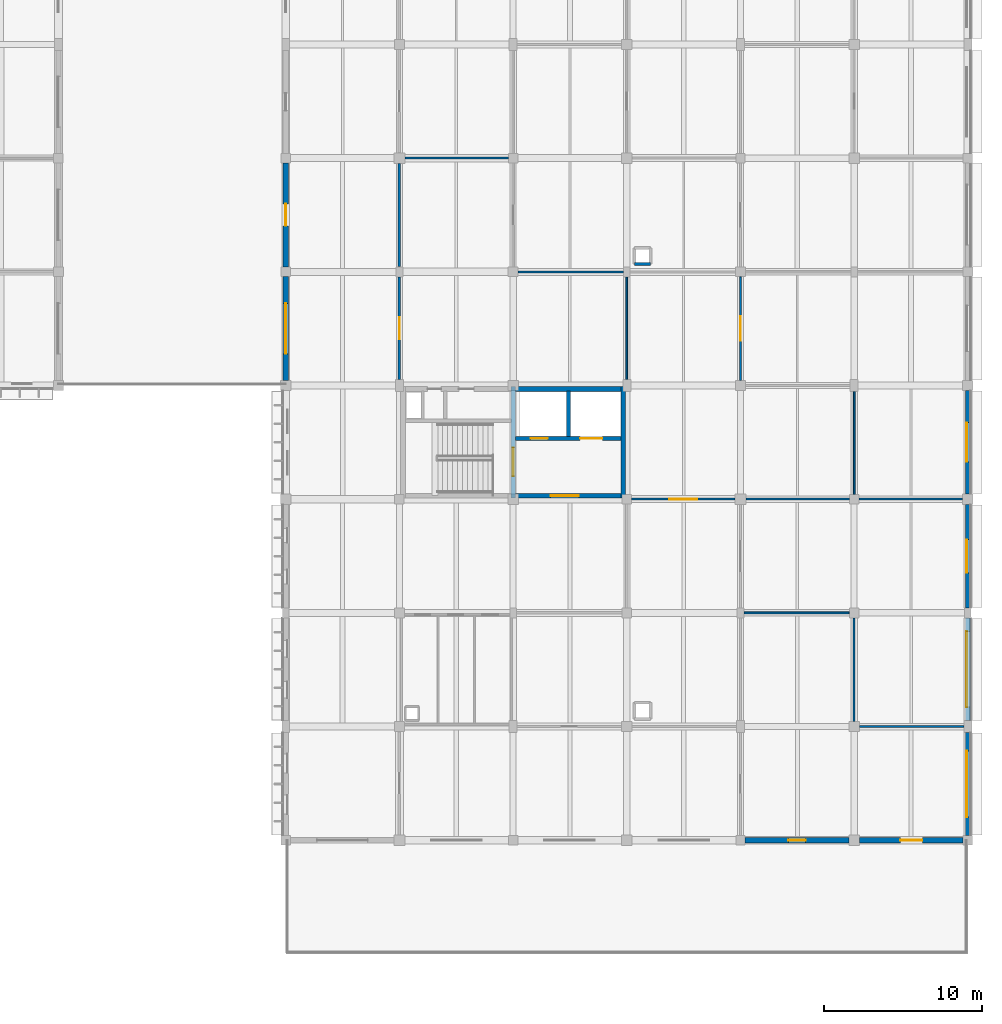
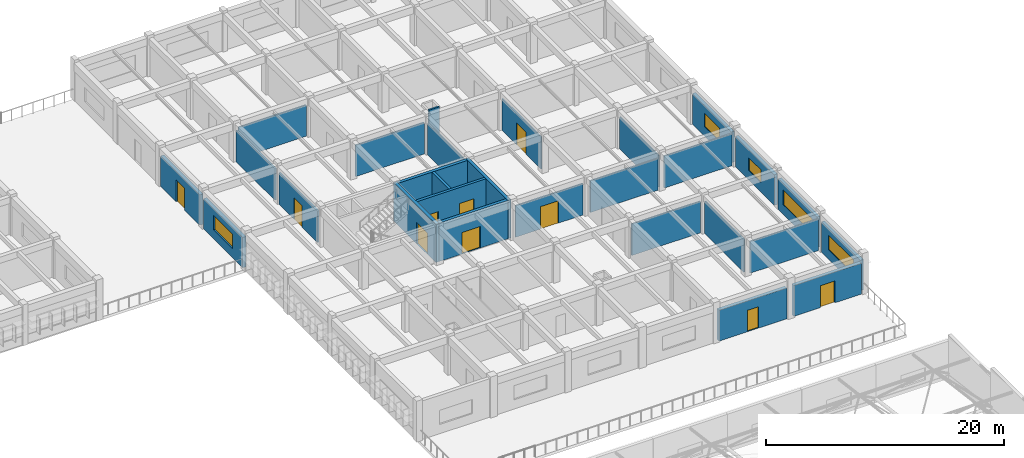
# One storey, part 93 of 103: 28 walls, 10 doors, 5 windows, 15 openings.
"""IFC4 building model written with IfcOpenShell, lengths in metres."""

from ifc_helpers import new_model, si_unit, direction, frame, frame_2d, origin, place, context, subcontext, project, spatial, rectangle, extrude, material, layer, layer_set, type_object, element, fill, save


model = new_model("IFC4")

# Units and contexts
model_context = context("Model", 3, precision=1e-05, world=origin(), true_north=direction((0.0, 1.0)))
body_context = subcontext(model_context, "Body", "Model", "MODEL_VIEW")
ifc_project = project(units=[si_unit("LENGTHUNIT", "METRE"), si_unit("AREAUNIT", "SQUARE_METRE"), si_unit("VOLUMEUNIT", "CUBIC_METRE"), si_unit("PLANEANGLEUNIT", "RADIAN"), si_unit("MASSUNIT", "GRAM", prefix="KILO")], contexts=[model_context])

# Site, building, storey
site_placement = place(None, origin())
site = spatial("IfcSite", under=ifc_project, at=site_placement, CompositionType="ELEMENT")
building_placement = place(site_placement, origin())
building = spatial("IfcBuilding", under=site, at=building_placement, Name="Thalmaran Polytechnic", CompositionType="ELEMENT")
storey_placement = place(building_placement, frame((0.0, 0.0, 14.39990234375)))
storey = spatial("IfcBuildingStorey", under=building, at=storey_placement, Name="L03", CompositionType="ELEMENT", Elevation=14.39990234375)

# Wall, opening, door
ifc_material_1 = material(Name="Precast concrete C40/50", Category="concrete")
ifc_layer_1 = layer(ifc_material_1, 0.330078125, Name="Precast concrete C40/50")
ifc_layer_set_1 = layer_set([ifc_layer_1], Name="Precast concrete C40/50")
wall_type_1 = type_object("IfcWallType", Name="WL-EW02", PredefinedType="STANDARD", material=ifc_layer_set_1)
wall_1_placement = place(storey_placement, frame((129.60009765625, 101.110107421875, 0.0), z_axis=(0.0, 0.0, 1.0), x_axis=(0.0, 1.0, 0.0)))
wall_1 = element("IfcWall", 1, at=wall_1_placement, inside=storey, type_object=wall_type_1, Name="Terrace Access Wall L03-001", PredefinedType="STANDARD", context=body_context, shape_type="SweptSolid", body=[
    extrude(rectangle(XDim=6.58984375, YDim=0.330078125, at=frame_2d((3.294921875, 0.0))), origin(), (0.0, 0.0, 1.0), 3.110107421875),
])
opening_1_placement = place(wall_1_placement, frame((2.594970703125, 0.0, 0.0)))
opening_1 = element("IfcOpeningElement", 2, at=opening_1_placement, cuts=wall_1, Name="Opening TD-003", PredefinedType="OPENING", context=body_context, shape_type="SweptSolid", body=[
    extrude(rectangle(XDim=1.39990234375, YDim=2.25, at=frame_2d((0.699951171875, 1.125))), frame((0.0, 0.175048828125, 0.0), z_axis=(0.0, -1.0, 0.0), x_axis=(1.0, 0.0, 0.0)), (0.0, 0.0, 1.0), 0.35009765625),
])
ifc_material_2 = material(Name="Anodised aluminium and safety glass", Category="aluminium")
door_type_1 = type_object("IfcDoorType", Name="DR-TD01", OperationType="NOTDEFINED", PredefinedType="DOOR", material=ifc_material_2)
door_1_placement = place(opening_1_placement, origin())
door_1 = element("IfcDoor", 3, at=door_1_placement, inside=storey, type_object=door_type_1, Name="Terrace Access Door TD-003", OperationType="SINGLE_SWING_LEFT", OverallHeight=2.25, OverallWidth=1.39990234375, PredefinedType="DOOR", context=body_context, shape_type="SweptSolid", body=[
    extrude(rectangle(XDim=1.39990234375, YDim=2.25, at=frame_2d((0.699951171875, 1.125))), frame((0.0, 0.02490234375, 0.0), z_axis=(0.0, -1.0, 0.0), x_axis=(1.0, 0.0, 0.0)), (0.0, 0.0, 1.0), 0.050048828125),
])
fill(opening_1, door_1)

wall_2_placement = place(storey_placement, frame((172.5, 64.800048828125, 0.0), z_axis=(0.0, 0.0, 1.0), x_axis=(-1.0, 0.0, 0.0)))
wall_2 = element("IfcWall", 4, at=wall_2_placement, inside=storey, type_object=wall_type_1, Name="Terrace Access Wall L03-018", PredefinedType="STANDARD", context=body_context, shape_type="SweptSolid", body=[
    extrude(rectangle(XDim=6.56005859375, YDim=0.330078125, at=frame_2d((3.280029296875, 0.0))), origin(), (0.0, 0.0, 1.0), 3.16015625),
])
opening_2_placement = place(wall_2_placement, frame((2.580078125, 0.0, 0.0)))
opening_2 = element("IfcOpeningElement", 5, at=opening_2_placement, cuts=wall_2, Name="Opening TD-005", PredefinedType="OPENING", context=body_context, shape_type="SweptSolid", body=[
    extrude(rectangle(XDim=1.39990234375, YDim=2.25, at=frame_2d((0.699951171875, 1.125))), frame((0.0, 0.175048828125, 0.0), z_axis=(0.0, -1.0, 0.0), x_axis=(1.0, 0.0, 0.0)), (0.0, 0.0, 1.0), 0.35009765625),
])
door_2_placement = place(opening_2_placement, origin())
door_2 = element("IfcDoor", 6, at=door_2_placement, inside=storey, type_object=door_type_1, Name="Terrace Access Door TD-005", OperationType="SINGLE_SWING_LEFT", OverallHeight=2.25, OverallWidth=1.39990234375, PredefinedType="DOOR", context=body_context, shape_type="SweptSolid", body=[
    extrude(rectangle(XDim=1.39990234375, YDim=2.25, at=frame_2d((0.699951171875, 1.125))), frame((0.0, 0.02490234375, 0.0), z_axis=(0.0, -1.0, 0.0), x_axis=(1.0, 0.0, 0.0)), (0.0, 0.0, 1.0), 0.050048828125),
])
fill(opening_2, door_2)

wall_3_placement = place(storey_placement, frame((165.260009765625, 64.800048828125, 0.0), z_axis=(0.0, 0.0, 1.0), x_axis=(-1.0, 0.0, 0.0)))
wall_3 = element("IfcWall", 7, at=wall_3_placement, inside=storey, type_object=wall_type_1, Name="Terrace Access Wall L03-019", PredefinedType="STANDARD", context=body_context, shape_type="SweptSolid", body=[
    extrude(rectangle(XDim=6.56005859375, YDim=0.330078125, at=frame_2d((3.280029296875, 0.0))), origin(), (0.0, 0.0, 1.0), 3.16015625),
])
opening_3_placement = place(wall_3_placement, frame((2.72998046875, 0.0, 0.0)))
opening_3 = element("IfcOpeningElement", 8, at=opening_3_placement, cuts=wall_3, Name="Opening TD-006", PredefinedType="OPENING", context=body_context, shape_type="SweptSolid", body=[
    extrude(rectangle(XDim=1.10009765625, YDim=2.199951171875, at=frame_2d((0.550048828125, 1.10009765625))), frame((0.0, 0.175048828125, 0.0), z_axis=(0.0, -1.0, 0.0), x_axis=(1.0, 0.0, 0.0)), (0.0, 0.0, 1.0), 0.35009765625),
])
door_type_2 = type_object("IfcDoorType", Name="DR-TD02", OperationType="NOTDEFINED", PredefinedType="DOOR", material=ifc_material_2)
door_3_placement = place(opening_3_placement, origin())
door_3 = element("IfcDoor", 9, at=door_3_placement, inside=storey, type_object=door_type_2, Name="Terrace Access Door TD-006", OperationType="SINGLE_SWING_RIGHT", OverallHeight=2.199951171875, OverallWidth=1.10009765625, PredefinedType="DOOR", context=body_context, shape_type="SweptSolid", body=[
    extrude(rectangle(XDim=1.10009765625, YDim=2.199951171875, at=frame_2d((0.550048828125, 1.10009765625))), frame((0.0, 0.02490234375, 0.0), z_axis=(0.0, -1.0, 0.0), x_axis=(1.0, 0.0, 0.0)), (0.0, 0.0, 1.0), 0.050048828125),
])
fill(opening_3, door_3)

# Wall, opening, window
wall_4_placement = place(storey_placement, frame((129.60009765625, 93.925048828125, 0.0), z_axis=(0.0, 0.0, 1.0), x_axis=(0.0, 1.0, 0.0)))
wall_4 = element("IfcWall", 10, at=wall_4_placement, inside=storey, type_object=wall_type_1, Name="Terrace Access Wall L03-028", PredefinedType="STANDARD", context=body_context, shape_type="SweptSolid", body=[
    extrude(rectangle(XDim=6.56494140625, YDim=0.330078125, at=frame_2d((3.282470703125, 0.0))), origin(), (0.0, 0.0, 1.0), 3.110107421875),
])
opening_4_placement = place(wall_4_placement, frame((1.6826171875, 0.0, 0.949951171875)))
opening_4 = element("IfcOpeningElement", 11, at=opening_4_placement, cuts=wall_4, Name="Opening RW04", PredefinedType="OPENING", context=body_context, shape_type="SweptSolid", body=[
    extrude(rectangle(XDim=3.199951171875, YDim=1.449951171875, at=frame_2d((1.60009765625, 0.72509765625))), frame((0.0, 0.175048828125, 0.0), z_axis=(0.0, -1.0, 0.0), x_axis=(1.0, 0.0, 0.0)), (0.0, 0.0, 1.0), 0.35009765625),
])
ifc_material_3 = material(Name="Thermally broken aluminium and double low-E glass", Category="aluminium")
window_type_1 = type_object("IfcWindowType", Name="WN-RW04", PartitioningType="DOUBLE_PANEL_VERTICAL", PredefinedType="WINDOW", material=ifc_material_3)
window_1_placement = place(opening_4_placement, origin())
window_1 = element("IfcWindow", 12, at=window_1_placement, inside=storey, type_object=window_type_1, Name="Terrace Ribbon Window W-0419", OverallHeight=1.449951171875, OverallWidth=3.199951171875, PartitioningType="SINGLE_PANEL", PredefinedType="WINDOW", context=body_context, shape_type="SweptSolid", body=[
    extrude(rectangle(XDim=3.199951171875, YDim=1.449951171875, at=frame_2d((1.60009765625, 0.72509765625))), frame((0.0, 0.030029296875, 0.0), z_axis=(0.0, -1.0, 0.0), x_axis=(1.0, 0.0, 0.0)), (0.0, 0.0, 1.0), 0.06005859375),
])
fill(opening_4, window_1)

ifc_layer_2 = layer(ifc_material_1, 0.31005859375, Name="Precast concrete C40/50")
ifc_layer_set_2 = layer_set([ifc_layer_2], Name="Precast concrete C40/50")
wall_type_2 = type_object("IfcWallType", Name="WL-EW03", PredefinedType="STANDARD", material=ifc_layer_set_2)
wall_5_placement = place(storey_placement, frame((172.800048828125, 93.27490234375, 0.0), z_axis=(0.0, 0.0, 1.0), x_axis=(0.0, -1.0, 0.0)))
wall_5 = element("IfcWall", 13, at=wall_5_placement, inside=storey, type_object=wall_type_2, Name="Exterior Precast Facade Wall L03-014", PredefinedType="STANDARD", context=body_context, shape_type="SweptSolid", body=[
    extrude(rectangle(XDim=6.534912109375, YDim=0.31005859375, at=frame_2d((3.267578125, 0.0))), origin(), (0.0, 0.0, 1.0), 3.135009765625),
])
opening_5_placement = place(wall_5_placement, frame((2.017578125, 0.0, 0.97998046875)))
opening_5 = element("IfcOpeningElement", 14, at=opening_5_placement, cuts=wall_5, Name="Opening VW19", PredefinedType="OPENING", context=body_context, shape_type="SweptSolid", body=[
    extrude(rectangle(XDim=2.5, YDim=1.35009765625, at=frame_2d((1.25, 0.675048828125))), frame((0.0, 0.1650390625, 0.0), z_axis=(0.0, -1.0, 0.0), x_axis=(1.0, 0.0, 0.0)), (0.0, 0.0, 1.0), 0.330078125),
])
window_type_2 = type_object("IfcWindowType", Name="WN-VZ19", PartitioningType="DOUBLE_PANEL_VERTICAL", PredefinedType="WINDOW", material=ifc_material_3)
window_2_placement = place(opening_5_placement, origin())
window_2 = element("IfcWindow", 15, at=window_2_placement, inside=storey, type_object=window_type_2, Name="Streamline Ribbon Window W-0403", OverallHeight=1.35009765625, OverallWidth=2.5, PartitioningType="SINGLE_PANEL", PredefinedType="WINDOW", context=body_context, shape_type="SweptSolid", body=[
    extrude(rectangle(XDim=2.5, YDim=1.35009765625, at=frame_2d((1.25, 0.675048828125))), frame((0.0, -0.030029296875, 0.0), z_axis=(0.0, -1.0, 0.0), x_axis=(1.0, 0.0, 0.0)), (0.0, 0.0, 1.0), 0.06005859375),
])
fill(opening_5, window_2)

wall_6_placement = place(storey_placement, frame((172.800048828125, 86.06005859375, 0.0), z_axis=(0.0, 0.0, 1.0), x_axis=(0.0, -1.0, 0.0)))
wall_6 = element("IfcWall", 16, at=wall_6_placement, inside=storey, type_object=wall_type_2, Name="Exterior Precast Facade Wall L03-015", PredefinedType="STANDARD", context=body_context, shape_type="SweptSolid", body=[
    extrude(rectangle(XDim=6.5400390625, YDim=0.31005859375, at=frame_2d((3.27001953125, 0.0))), origin(), (0.0, 0.0, 1.0), 3.135009765625),
])
opening_6_placement = place(wall_6_placement, frame((2.219970703125, 0.0, 0.97998046875)))
opening_6 = element("IfcOpeningElement", 17, at=opening_6_placement, cuts=wall_6, Name="Opening VW20", PredefinedType="OPENING", context=body_context, shape_type="SweptSolid", body=[
    extrude(rectangle(XDim=2.10009765625, YDim=1.300048828125, at=frame_2d((1.050048828125, 0.64990234375))), frame((0.0, 0.1650390625, 0.0), z_axis=(0.0, -1.0, 0.0), x_axis=(1.0, 0.0, 0.0)), (0.0, 0.0, 1.0), 0.330078125),
])
window_type_3 = type_object("IfcWindowType", Name="WN-VZ20", PartitioningType="SINGLE_PANEL", PredefinedType="WINDOW", material=ifc_material_3)
window_3_placement = place(opening_6_placement, origin())
window_3 = element("IfcWindow", 18, at=window_3_placement, inside=storey, type_object=window_type_3, Name="Streamline Ribbon Window W-0404", OverallHeight=1.300048828125, OverallWidth=2.10009765625, PartitioningType="SINGLE_PANEL", PredefinedType="WINDOW", context=body_context, shape_type="SweptSolid", body=[
    extrude(rectangle(XDim=2.10009765625, YDim=1.300048828125, at=frame_2d((1.050048828125, 0.64990234375))), frame((0.0, -0.030029296875, 0.0), z_axis=(0.0, -1.0, 0.0), x_axis=(1.0, 0.0, 0.0)), (0.0, 0.0, 1.0), 0.06005859375),
])
fill(opening_6, window_3)

wall_7_placement = place(storey_placement, frame((172.800048828125, 78.8798828125, 0.0), z_axis=(0.0, 0.0, 1.0), x_axis=(0.0, -1.0, 0.0)))
wall_7 = element("IfcWall", 19, at=wall_7_placement, inside=storey, type_object=wall_type_2, Name="Exterior Precast Facade Wall L03-016", PredefinedType="STANDARD", context=body_context, shape_type="SweptSolid", body=[
    extrude(rectangle(XDim=6.5048828125, YDim=0.31005859375, at=frame_2d((3.25244140625, 0.0))), origin(), (0.0, 0.0, 1.0), 3.135009765625),
])
opening_7_placement = place(wall_7_placement, frame((0.8525390625, 0.0, 0.97998046875)))
opening_7 = element("IfcOpeningElement", 20, at=opening_7_placement, cuts=wall_7, Name="Opening RW01", PredefinedType="OPENING", context=body_context, shape_type="SweptSolid", body=[
    extrude(rectangle(XDim=4.800048828125, YDim=1.5, at=frame_2d((2.39990234375, 0.75))), frame((0.0, 0.1650390625, 0.0), z_axis=(0.0, -1.0, 0.0), x_axis=(1.0, 0.0, 0.0)), (0.0, 0.0, 1.0), 0.330078125),
])
window_type_4 = type_object("IfcWindowType", Name="WN-RW01", PartitioningType="TRIPLE_PANEL_HORIZONTAL", PredefinedType="WINDOW", material=ifc_material_3)
window_4_placement = place(opening_7_placement, origin())
window_4 = element("IfcWindow", 21, at=window_4_placement, inside=storey, type_object=window_type_4, Name="Streamline Ribbon Window W-0405", OverallHeight=1.5, OverallWidth=4.800048828125, PartitioningType="SINGLE_PANEL", PredefinedType="WINDOW", context=body_context, shape_type="SweptSolid", body=[
    extrude(rectangle(XDim=4.800048828125, YDim=1.5, at=frame_2d((2.39990234375, 0.75))), frame((0.0, -0.030029296875, 0.0), z_axis=(0.0, -1.0, 0.0), x_axis=(1.0, 0.0, 0.0)), (0.0, 0.0, 1.0), 0.06005859375),
])
fill(opening_7, window_4)

wall_8_placement = place(storey_placement, frame((172.800048828125, 71.625, 0.0), z_axis=(0.0, 0.0, 1.0), x_axis=(0.0, -1.0, 0.0)))
wall_8 = element("IfcWall", 22, at=wall_8_placement, inside=storey, type_object=wall_type_2, Name="Exterior Precast Facade Wall L03-017", PredefinedType="STANDARD", context=body_context, shape_type="SweptSolid", body=[
    extrude(rectangle(XDim=6.52490234375, YDim=0.31005859375, at=frame_2d((3.262451171875, 0.0))), origin(), (0.0, 0.0, 1.0), 3.110107421875),
])
opening_8_placement = place(wall_8_placement, frame((1.16259765625, 0.0, 0.97998046875)))
opening_8 = element("IfcOpeningElement", 23, at=opening_8_placement, cuts=wall_8, Name="Opening RW02", PredefinedType="OPENING", context=body_context, shape_type="SweptSolid", body=[
    extrude(rectangle(XDim=4.199951171875, YDim=1.5, at=frame_2d((2.10009765625, 0.75))), frame((0.0, 0.1650390625, 0.0), z_axis=(0.0, -1.0, 0.0), x_axis=(1.0, 0.0, 0.0)), (0.0, 0.0, 1.0), 0.330078125),
])
window_type_5 = type_object("IfcWindowType", Name="WN-RW02", PartitioningType="TRIPLE_PANEL_HORIZONTAL", PredefinedType="WINDOW", material=ifc_material_3)
window_5_placement = place(opening_8_placement, origin())
window_5 = element("IfcWindow", 24, at=window_5_placement, inside=storey, type_object=window_type_5, Name="Streamline Ribbon Window W-0406", OverallHeight=1.5, OverallWidth=4.199951171875, PartitioningType="SINGLE_PANEL", PredefinedType="WINDOW", context=body_context, shape_type="SweptSolid", body=[
    extrude(rectangle(XDim=4.199951171875, YDim=1.5, at=frame_2d((2.10009765625, 0.75))), frame((0.0, -0.030029296875, 0.0), z_axis=(0.0, -1.0, 0.0), x_axis=(1.0, 0.0, 0.0)), (0.0, 0.0, 1.0), 0.06005859375),
])
fill(opening_8, window_5)

# Walls
ifc_material_4 = material(Name="Autoclaved aerated masonry", Category="masonry")
ifc_layer_3 = layer(ifc_material_4, 0.25, Name="Autoclaved aerated masonry")
ifc_layer_set_3 = layer_set([ifc_layer_3], Name="Autoclaved aerated masonry")
wall_type_3 = type_object("IfcWallType", Name="WL-IW01", PredefinedType="PARTITIONING", material=ifc_layer_set_3)
wall_9_placement = place(storey_placement, frame((147.5, 90.3798828125, 0.0), z_axis=(0.0, 0.0, 1.0), x_axis=(0.0, 1.0, 0.0)))
element("IfcWall", 25, at=wall_9_placement, inside=storey, type_object=wall_type_3, Name="Core C5 Shaft Dividing Wall L03", PredefinedType="PARTITIONING", context=body_context, shape_type="SweptSolid", body=[
    extrude(rectangle(XDim=2.8701171875, YDim=0.25, at=frame_2d((1.43505859375, 0.0))), origin(), (0.0, 0.0, 1.0), 3.940185546875),
])
ifc_layer_4 = layer(ifc_material_4, 0.179931640625, Name="Autoclaved aerated masonry")
ifc_layer_set_4 = layer_set([ifc_layer_4], Name="Autoclaved aerated masonry")
wall_type_4 = type_object("IfcWallType", Name="WL-IW04", PredefinedType="PARTITIONING", material=ifc_layer_set_4)
wall_10_placement = place(storey_placement, frame((151.68994140625, 101.2900390625, 0.0), z_axis=(0.0, 0.0, 1.0), x_axis=(1.0, 0.0, 0.0)))
element("IfcWall", 26, at=wall_10_placement, inside=storey, type_object=wall_type_4, Name="Fume Exhaust Riser Shaft Wall L03 (21,14)-S", PredefinedType="PARTITIONING", context=body_context, shape_type="SweptSolid", body=[
    extrude(rectangle(XDim=1.02001953125, YDim=0.179931640625, at=frame_2d((0.510009765625, 0.0))), origin(), (0.0, 0.0, 1.0), 3.940185546875),
])

# Wall, opening, door
ifc_material_5 = material(Name="Gypsum acoustic partition")
ifc_layer_5 = layer(ifc_material_5, 0.159912109375, Name="Gypsum acoustic partition")
ifc_layer_set_5 = layer_set([ifc_layer_5], Name="Gypsum acoustic partition")
wall_type_5 = type_object("IfcWallType", Name="WL-IW05", PredefinedType="PARTITIONING", material=ifc_layer_set_5)
wall_11_placement = place(storey_placement, frame((136.800048828125, 93.97998046875, 0.0), z_axis=(0.0, 0.0, 1.0), x_axis=(0.0, 1.0, 0.0)))
wall_11 = element("IfcWall", 27, at=wall_11_placement, inside=storey, type_object=wall_type_5, Name="Interior Partition IW05 L03-067", PredefinedType="PARTITIONING", context=body_context, shape_type="SweptSolid", body=[
    extrude(rectangle(XDim=6.4951171875, YDim=0.159912109375, at=frame_2d((3.24755859375, 0.0))), origin(), (0.0, 0.0, 1.0), 3.22998046875),
])
opening_9_placement = place(wall_11_placement, frame((2.5576171875, 0.0, 0.0)))
opening_9 = element("IfcOpeningElement", 28, at=opening_9_placement, cuts=wall_11, Name="Opening D-L03-028-5-07-1", PredefinedType="OPENING", context=body_context, shape_type="SweptSolid", body=[
    extrude(rectangle(XDim=1.3798828125, YDim=2.219970703125, at=frame_2d((0.68994140625, 1.10986328125))), frame((0.0, 0.08984375, 0.0), z_axis=(0.0, -1.0, 0.0), x_axis=(1.0, 0.0, 0.0)), (0.0, 0.0, 1.0), 0.179931640625),
])
ifc_material_6 = material(Name="Acoustic hardwood and vision glass", Category="wood")
door_type_3 = type_object("IfcDoorType", Name="DR-ZD04", OperationType="NOTDEFINED", PredefinedType="DOOR", material=ifc_material_6)
door_4_placement = place(opening_9_placement, origin())
door_4 = element("IfcDoor", 29, at=door_4_placement, inside=storey, type_object=door_type_3, Name="Seminar Room L03-07 Door 1", OperationType="SINGLE_SWING_RIGHT", OverallHeight=2.219970703125, OverallWidth=1.3798828125, PredefinedType="DOOR", context=body_context, shape_type="SweptSolid", body=[
    extrude(rectangle(XDim=1.3798828125, YDim=2.219970703125, at=frame_2d((0.68994140625, 1.10986328125))), frame((0.0, 0.02490234375, 0.0), z_axis=(0.0, -1.0, 0.0), x_axis=(1.0, 0.0, 0.0)), (0.0, 0.0, 1.0), 0.050048828125),
])
fill(opening_9, door_4)

# Walls
wall_12_placement = place(storey_placement, frame((136.800048828125, 101.125, 0.0), z_axis=(0.0, 0.0, 1.0), x_axis=(0.0, 1.0, 0.0)))
element("IfcWall", 30, at=wall_12_placement, inside=storey, type_object=wall_type_5, Name="Interior Partition IW05 L03-068", PredefinedType="PARTITIONING", context=body_context, shape_type="SweptSolid", body=[
    extrude(rectangle(XDim=6.530029296875, YDim=0.159912109375, at=frame_2d((3.26513671875, 0.0))), origin(), (0.0, 0.0, 1.0), 3.22509765625),
])
ifc_layer_6 = layer(ifc_material_5, 0.1298828125, Name="Gypsum acoustic partition")
ifc_layer_set_6 = layer_set([ifc_layer_6], Name="Gypsum acoustic partition")
wall_type_6 = type_object("IfcWallType", Name="WL-IW07", PredefinedType="PARTITIONING", material=ifc_layer_set_6)
wall_13_placement = place(storey_placement, frame((137.14501953125, 108.0, 0.0), z_axis=(0.0, 0.0, 1.0), x_axis=(1.0, 0.0, 0.0)))
element("IfcWall", 31, at=wall_13_placement, inside=storey, type_object=wall_type_6, Name="Interior Partition IW07 L03-072", PredefinedType="PARTITIONING", context=body_context, shape_type="SweptSolid", body=[
    extrude(rectangle(XDim=6.550048828125, YDim=0.1298828125, at=frame_2d((3.27490234375, 0.0))), origin(), (0.0, 0.0, 1.0), 3.2001953125),
])
wall_14_placement = place(storey_placement, frame((144.31494140625, 100.800048828125, 0.0), z_axis=(0.0, 0.0, 1.0), x_axis=(1.0, 0.0, 0.0)))
element("IfcWall", 32, at=wall_14_placement, inside=storey, type_object=wall_type_6, Name="Interior Partition IW07 L03-078", PredefinedType="PARTITIONING", context=body_context, shape_type="SweptSolid", body=[
    extrude(rectangle(XDim=6.670166015625, YDim=0.1298828125, at=frame_2d((3.3349609375, 0.0))), origin(), (0.0, 0.0, 1.0), 3.215087890625),
])

# Wall, opening, door
wall_15_placement = place(storey_placement, frame((151.5048828125, 86.39990234375, 0.0), z_axis=(0.0, 0.0, 1.0), x_axis=(1.0, 0.0, 0.0)))
wall_15 = element("IfcWall", 33, at=wall_15_placement, inside=storey, type_object=wall_type_6, Name="Interior Partition IW07 L03-086", PredefinedType="PARTITIONING", context=body_context, shape_type="SweptSolid", body=[
    extrude(rectangle(XDim=6.550048828125, YDim=0.1298828125, at=frame_2d((3.27490234375, 0.0))), origin(), (0.0, 0.0, 1.0), 3.22021484375),
])
opening_10_placement = place(wall_15_placement, frame((2.39501953125, 0.0, 0.0)))
opening_10 = element("IfcOpeningElement", 34, at=opening_10_placement, cuts=wall_15, Name="Opening D-L03-026-5-05-1", PredefinedType="OPENING", context=body_context, shape_type="SweptSolid", body=[
    extrude(rectangle(XDim=1.760009765625, YDim=2.300048828125, at=frame_2d((0.8798828125, 1.14990234375))), frame((0.0, 0.074951171875, 0.0), z_axis=(0.0, -1.0, 0.0), x_axis=(1.0, 0.0, 0.0)), (0.0, 0.0, 1.0), 0.14990234375),
])
door_type_4 = type_object("IfcDoorType", Name="DR-ZD02", OperationType="NOTDEFINED", PredefinedType="DOOR", material=ifc_material_6)
door_5_placement = place(opening_10_placement, origin())
door_5 = element("IfcDoor", 35, at=door_5_placement, inside=storey, type_object=door_type_4, Name="Photonics and Electronics Laboratory L03-05 Door 1", OperationType="SINGLE_SWING_RIGHT", OverallHeight=2.300048828125, OverallWidth=1.760009765625, PredefinedType="DOOR", context=body_context, shape_type="SweptSolid", body=[
    extrude(rectangle(XDim=1.760009765625, YDim=2.300048828125, at=frame_2d((0.8798828125, 1.14990234375))), frame((0.0, 0.02490234375, 0.0), z_axis=(0.0, -1.0, 0.0), x_axis=(1.0, 0.0, 0.0)), (0.0, 0.0, 1.0), 0.050048828125),
])
fill(opening_10, door_5)

# Walls
wall_16_placement = place(storey_placement, frame((165.60009765625, 72.330078125, 0.0), z_axis=(0.0, 0.0, 1.0), x_axis=(0.0, 1.0, 0.0)))
element("IfcWall", 36, at=wall_16_placement, inside=storey, type_object=wall_type_6, Name="Interior Partition IW07 L03-092", PredefinedType="PARTITIONING", context=body_context, shape_type="SweptSolid", body=[
    extrude(rectangle(XDim=6.554931640625, YDim=0.1298828125, at=frame_2d((3.27734375, 0.0))), origin(), (0.0, 0.0, 1.0), 3.31005859375),
])
wall_17_placement = place(storey_placement, frame((158.7451171875, 86.39990234375, 0.0), z_axis=(0.0, 0.0, 1.0), x_axis=(1.0, 0.0, 0.0)))
element("IfcWall", 37, at=wall_17_placement, inside=storey, type_object=wall_type_6, Name="Interior Partition IW07 L03-094", PredefinedType="PARTITIONING", context=body_context, shape_type="SweptSolid", body=[
    extrude(rectangle(XDim=6.5498046875, YDim=0.1298828125, at=frame_2d((3.27490234375, 0.0))), origin(), (0.0, 0.0, 1.0), 3.239990234375),
])
wall_18_placement = place(storey_placement, frame((165.905029296875, 86.39990234375, 0.0), z_axis=(0.0, 0.0, 1.0), x_axis=(1.0, 0.0, 0.0)))
element("IfcWall", 38, at=wall_18_placement, inside=storey, type_object=wall_type_6, Name="Interior Partition IW07 L03-102", PredefinedType="PARTITIONING", context=body_context, shape_type="SweptSolid", body=[
    extrude(rectangle(XDim=6.550048828125, YDim=0.1298828125, at=frame_2d((3.27490234375, 0.0))), origin(), (0.0, 0.0, 1.0), 3.280029296875),
])
ifc_layer_7 = layer(ifc_material_5, 0.114990234375, Name="Gypsum acoustic partition")
ifc_layer_set_7 = layer_set([ifc_layer_7], Name="Gypsum acoustic partition")
wall_type_7 = type_object("IfcWallType", Name="WL-IW08", PredefinedType="PARTITIONING", material=ifc_layer_set_7)
wall_19_placement = place(storey_placement, frame((151.199951171875, 93.97998046875, 0.0), z_axis=(0.0, 0.0, 1.0), x_axis=(0.0, 1.0, 0.0)))
element("IfcWall", 39, at=wall_19_placement, inside=storey, type_object=wall_type_7, Name="Interior Partition IW08 L03-077", PredefinedType="PARTITIONING", context=body_context, shape_type="SweptSolid", body=[
    extrude(rectangle(XDim=6.4951171875, YDim=0.114990234375, at=frame_2d((3.24755859375, 0.0))), origin(), (0.0, 0.0, 1.0), 3.255126953125),
])

# Wall, opening, door
wall_20_placement = place(storey_placement, frame((158.39990234375, 93.929931640625, 0.0), z_axis=(0.0, 0.0, 1.0), x_axis=(0.0, 1.0, 0.0)))
wall_20 = element("IfcWall", 40, at=wall_20_placement, inside=storey, type_object=wall_type_7, Name="Interior Partition IW08 L03-087", PredefinedType="PARTITIONING", context=body_context, shape_type="SweptSolid", body=[
    extrude(rectangle(XDim=6.55517578125, YDim=0.114990234375, at=frame_2d((3.277587890625, 0.0))), origin(), (0.0, 0.0, 1.0), 3.255126953125),
])
opening_11_placement = place(wall_20_placement, frame((2.49755859375, 0.0, 0.0)))
opening_11 = element("IfcOpeningElement", 41, at=opening_11_placement, cuts=wall_20, Name="Opening D-L03-027-5-06-1", PredefinedType="OPENING", context=body_context, shape_type="SweptSolid", body=[
    extrude(rectangle(XDim=1.56005859375, YDim=2.25, at=frame_2d((0.780029296875, 1.125))), frame((0.0, 0.0673828125, 0.0), z_axis=(0.0, -1.0, 0.0), x_axis=(1.0, 0.0, 0.0)), (0.0, 0.0, 1.0), 0.135009765625),
])
door_type_5 = type_object("IfcDoorType", Name="DR-ZD03", OperationType="NOTDEFINED", PredefinedType="DOOR", material=ifc_material_6)
door_6_placement = place(opening_11_placement, origin())
door_6 = element("IfcDoor", 42, at=door_6_placement, inside=storey, type_object=door_type_5, Name="Product Design Studio L03-06 Door 1", OperationType="SINGLE_SWING_LEFT", OverallHeight=2.25, OverallWidth=1.56005859375, PredefinedType="DOOR", context=body_context, shape_type="SweptSolid", body=[
    extrude(rectangle(XDim=1.56005859375, YDim=2.25, at=frame_2d((0.780029296875, 1.125))), frame((0.0, 0.02490234375, 0.0), z_axis=(0.0, -1.0, 0.0), x_axis=(1.0, 0.0, 0.0)), (0.0, 0.0, 1.0), 0.050048828125),
])
fill(opening_11, door_6)

# Walls
wall_21_placement = place(storey_placement, frame((158.614990234375, 79.199951171875, 0.0), z_axis=(0.0, 0.0, 1.0), x_axis=(1.0, 0.0, 0.0)))
element("IfcWall", 43, at=wall_21_placement, inside=storey, type_object=wall_type_7, Name="Interior Partition IW08 L03-093", PredefinedType="PARTITIONING", context=body_context, shape_type="SweptSolid", body=[
    extrude(rectangle(XDim=6.669921875, YDim=0.114990234375, at=frame_2d((3.3349609375, 0.0))), origin(), (0.0, 0.0, 1.0), 3.239990234375),
])
wall_22_placement = place(storey_placement, frame((165.60009765625, 86.705078125, 0.0), z_axis=(0.0, 0.0, 1.0), x_axis=(0.0, 1.0, 0.0)))
element("IfcWall", 44, at=wall_22_placement, inside=storey, type_object=wall_type_7, Name="Interior Partition IW08 L03-095", PredefinedType="PARTITIONING", context=body_context, shape_type="SweptSolid", body=[
    extrude(rectangle(XDim=6.514892578125, YDim=0.114990234375, at=frame_2d((3.25732421875, 0.0))), origin(), (0.0, 0.0, 1.0), 3.255126953125),
])
wall_23_placement = place(storey_placement, frame((165.929931640625, 72.0, 0.0), z_axis=(0.0, 0.0, 1.0), x_axis=(1.0, 0.0, 0.0)))
element("IfcWall", 45, at=wall_23_placement, inside=storey, type_object=wall_type_7, Name="Interior Partition IW08 L03-101", PredefinedType="PARTITIONING", context=body_context, shape_type="SweptSolid", body=[
    extrude(rectangle(XDim=6.614990234375, YDim=0.114990234375, at=frame_2d((3.3076171875, 0.0))), origin(), (0.0, 0.0, 1.0), 3.255126953125),
])

# Wall, opening, door
ifc_material_7 = material(Name="Concrete C50/60", Category="concrete")
ifc_layer_8 = layer(ifc_material_7, 0.300048828125, Name="Concrete C50/60")
ifc_layer_set_8 = layer_set([ifc_layer_8], Name="Concrete C50/60")
wall_type_8 = type_object("IfcWallType", Name="WL-SW04", PredefinedType="SHEAR", material=ifc_layer_set_8)
wall_24_placement = place(storey_placement, frame((144.0, 86.469970703125, 0.0), z_axis=(0.0, 0.0, 1.0), x_axis=(0.0, 1.0, 0.0)))
wall_24 = element("IfcWall", 46, at=wall_24_placement, inside=storey, type_object=wall_type_8, Name="Core C5 Stair-Lobby Dividing Shear Wall L03", PredefinedType="SHEAR", context=body_context, shape_type="SweptSolid", body=[
    extrude(rectangle(XDim=7.06005859375, YDim=0.300048828125, at=frame_2d((3.530029296875, 0.0))), origin(), (0.0, 0.0, 1.0), 3.940185546875),
])
opening_12_placement = place(wall_24_placement, frame((1.39990234375, 0.0, 0.0)))
opening_12 = element("IfcOpeningElement", 47, at=opening_12_placement, cuts=wall_24, Name="Opening SD-ST5-L03", PredefinedType="OPENING", context=body_context, shape_type="SweptSolid", body=[
    extrude(rectangle(XDim=1.800048828125, YDim=2.199951171875, at=frame_2d((0.89990234375, 1.10009765625))), frame((0.0, 0.159912109375, 0.0), z_axis=(0.0, -1.0, 0.0), x_axis=(1.0, 0.0, 0.0)), (0.0, 0.0, 1.0), 0.320068359375),
])
ifc_material_8 = material(Name="Powder-coated fire-rated steel", Category="steel")
door_type_6 = type_object("IfcDoorType", Name="DR-FD03", OperationType="NOTDEFINED", PredefinedType="DOOR", material=ifc_material_8)
door_7_placement = place(opening_12_placement, origin())
door_7 = element("IfcDoor", 48, at=door_7_placement, inside=storey, type_object=door_type_6, Name="Firefighting Lobby to Exit Stair Door ST5 L03", OperationType="SINGLE_SWING_LEFT", OverallHeight=2.199951171875, OverallWidth=1.800048828125, PredefinedType="DOOR", context=body_context, shape_type="SweptSolid", body=[
    extrude(rectangle(XDim=1.800048828125, YDim=2.199951171875, at=frame_2d((0.89990234375, 1.10009765625))), frame((0.0, 0.02490234375, 0.0), z_axis=(0.0, -1.0, 0.0), x_axis=(1.0, 0.0, 0.0)), (0.0, 0.0, 1.0), 0.050048828125),
])
fill(opening_12, door_7)

wall_25_placement = place(storey_placement, frame((144.14990234375, 86.6201171875, 0.0), z_axis=(0.0, 0.0, 1.0), x_axis=(1.0, 0.0, 0.0)))
wall_25 = element("IfcWall", 49, at=wall_25_placement, inside=storey, type_object=wall_type_8, Name="Core C5 Lobby South Wall L03", PredefinedType="SHEAR", context=body_context, shape_type="SweptSolid", body=[
    extrude(rectangle(XDim=6.68017578125, YDim=0.300048828125, at=frame_2d((3.340087890625, 0.0))), origin(), (0.0, 0.0, 1.0), 3.940185546875),
])
opening_13_placement = place(wall_25_placement, frame((2.219970703125, 0.0, 0.0)))
opening_13 = element("IfcOpeningElement", 50, at=opening_13_placement, cuts=wall_25, Name="Opening FD-C5-L03", PredefinedType="OPENING", context=body_context, shape_type="SweptSolid", body=[
    extrude(rectangle(XDim=1.800048828125, YDim=2.199951171875, at=frame_2d((0.89990234375, 1.10009765625))), frame((0.0, 0.159912109375, 0.0), z_axis=(0.0, -1.0, 0.0), x_axis=(1.0, 0.0, 0.0)), (0.0, 0.0, 1.0), 0.320068359375),
])
door_type_7 = type_object("IfcDoorType", Name="DR-FD01", OperationType="NOTDEFINED", PredefinedType="DOOR", material=ifc_material_8)
door_8_placement = place(opening_13_placement, origin())
door_8 = element("IfcDoor", 51, at=door_8_placement, inside=storey, type_object=door_type_7, Name="Firefighting Lift Lobby Entrance Door C5 L03", OperationType="DOUBLE_DOOR_SINGLE_SWING", OverallHeight=2.199951171875, OverallWidth=1.800048828125, PredefinedType="DOOR", context=body_context, shape_type="SweptSolid", body=[
    extrude(rectangle(XDim=1.800048828125, YDim=2.199951171875, at=frame_2d((0.89990234375, 1.10009765625))), frame((0.0, 0.02490234375, 0.0), z_axis=(0.0, -1.0, 0.0), x_axis=(1.0, 0.0, 0.0)), (0.0, 0.0, 1.0), 0.050048828125),
])
fill(opening_13, door_8)

# Walls
wall_26_placement = place(storey_placement, frame((150.97998046875, 86.469970703125, 0.0), z_axis=(0.0, 0.0, 1.0), x_axis=(0.0, 1.0, 0.0)))
element("IfcWall", 52, at=wall_26_placement, inside=storey, type_object=wall_type_8, Name="Core C5 Lobby East Shear Wall L03", PredefinedType="SHEAR", context=body_context, shape_type="SweptSolid", body=[
    extrude(rectangle(XDim=7.06005859375, YDim=0.300048828125, at=frame_2d((3.530029296875, 0.0))), origin(), (0.0, 0.0, 1.0), 3.940185546875),
])
wall_27_placement = place(storey_placement, frame((144.14990234375, 93.3798828125, 0.0), z_axis=(0.0, 0.0, 1.0), x_axis=(1.0, 0.0, 0.0)))
element("IfcWall", 53, at=wall_27_placement, inside=storey, type_object=wall_type_8, Name="Core C5 Lift Shaft Back Shear Wall L03", PredefinedType="SHEAR", context=body_context, shape_type="SweptSolid", body=[
    extrude(rectangle(XDim=6.68017578125, YDim=0.300048828125, at=frame_2d((3.340087890625, 0.0))), origin(), (0.0, 0.0, 1.0), 3.940185546875),
])

# Wall, openings, doors
wall_28_placement = place(storey_placement, frame((144.14990234375, 90.25, 0.0), z_axis=(0.0, 0.0, 1.0), x_axis=(1.0, 0.0, 0.0)))
wall_28 = element("IfcWall", 54, at=wall_28_placement, inside=storey, type_object=wall_type_8, Name="Core C5 Lift Landing Front Wall L03", PredefinedType="SHEAR", context=body_context, shape_type="SweptSolid", body=[
    extrude(rectangle(XDim=6.68017578125, YDim=0.260009765625, at=frame_2d((3.340087890625, 0.0))), origin(), (0.0, 0.0, 1.0), 3.940185546875),
])
opening_14_placement = place(wall_28_placement, frame((0.949951171875, 0.0, 0.0)))
opening_14 = element("IfcOpeningElement", 55, at=opening_14_placement, cuts=wall_28, Name="Opening LD-PL-04-L03", PredefinedType="OPENING", context=body_context, shape_type="SweptSolid", body=[
    extrude(rectangle(XDim=1.10009765625, YDim=2.199951171875, at=frame_2d((0.550048828125, 1.10009765625))), frame((0.0, 0.139892578125, 0.0), z_axis=(0.0, -1.0, 0.0), x_axis=(1.0, 0.0, 0.0)), (0.0, 0.0, 1.0), 0.280029296875),
])
opening_15_placement = place(wall_28_placement, frame((4.10009765625, 0.0, 0.0)))
opening_15 = element("IfcOpeningElement", 56, at=opening_15_placement, cuts=wall_28, Name="Opening LD-GL-01-L03", PredefinedType="OPENING", context=body_context, shape_type="SweptSolid", body=[
    extrude(rectangle(XDim=1.39990234375, YDim=2.300048828125, at=frame_2d((0.699951171875, 1.14990234375))), frame((0.0, 0.139892578125, 0.0), z_axis=(0.0, -1.0, 0.0), x_axis=(1.0, 0.0, 0.0)), (0.0, 0.0, 1.0), 0.280029296875),
])
ifc_material_9 = material(Name="Brushed stainless steel lift door", Category="steel")
door_type_8 = type_object("IfcDoorType", Name="DR-LD01", OperationType="NOTDEFINED", PredefinedType="DOOR", material=ifc_material_9)
door_9_placement = place(opening_14_placement, origin())
door_9 = element("IfcDoor", 57, at=door_9_placement, inside=storey, type_object=door_type_8, Name="Lift Landing Door PL-04 L03", OperationType="SLIDING_TO_LEFT", OverallHeight=2.199951171875, OverallWidth=1.10009765625, PredefinedType="DOOR", context=body_context, shape_type="SweptSolid", body=[
    extrude(rectangle(XDim=1.10009765625, YDim=2.199951171875, at=frame_2d((0.550048828125, 1.10009765625))), frame((0.0, 0.02490234375, 0.0), z_axis=(0.0, -1.0, 0.0), x_axis=(1.0, 0.0, 0.0)), (0.0, 0.0, 1.0), 0.050048828125),
])
fill(opening_14, door_9)
door_type_9 = type_object("IfcDoorType", Name="DR-LD03", OperationType="NOTDEFINED", PredefinedType="DOOR", material=ifc_material_9)
door_10_placement = place(opening_15_placement, origin())
door_10 = element("IfcDoor", 58, at=door_10_placement, inside=storey, type_object=door_type_9, Name="Lift Landing Door GL-01 L03", OperationType="SLIDING_TO_RIGHT", OverallHeight=2.300048828125, OverallWidth=1.39990234375, PredefinedType="DOOR", context=body_context, shape_type="SweptSolid", body=[
    extrude(rectangle(XDim=1.39990234375, YDim=2.300048828125, at=frame_2d((0.699951171875, 1.14990234375))), frame((0.0, 0.02490234375, 0.0), z_axis=(0.0, -1.0, 0.0), x_axis=(1.0, 0.0, 0.0)), (0.0, 0.0, 1.0), 0.050048828125),
])
fill(opening_15, door_10)

save(model, "model.ifc")
